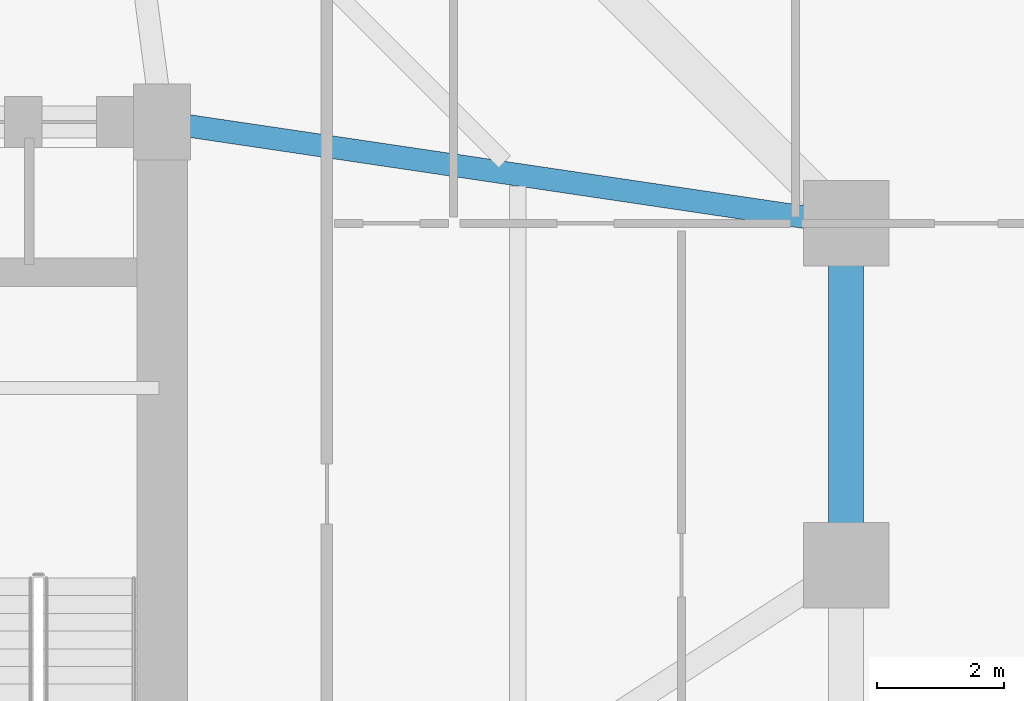
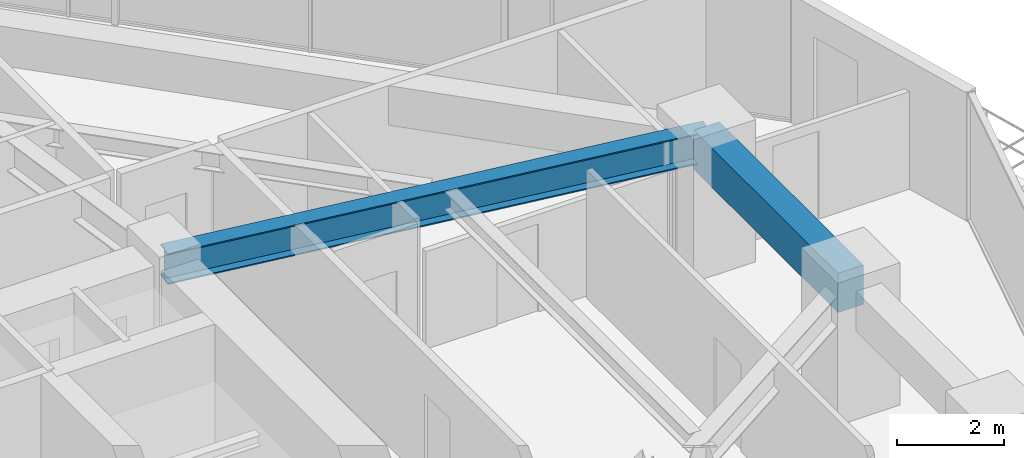
# One storey, part 20 of 39: 2 beams.
"""IFC4 building model written with IfcOpenShell, lengths in metres."""

from ifc_helpers import new_model, si_unit, direction, frame, origin, origin_2d, place, context, subcontext, project, spatial, rectangle, i_section, extrude, material, material_profile, profile_set, type_object, element, save


model = new_model("IFC4")

# Units and contexts
model_context = context("Model", 3, precision=1e-05, world=origin(), true_north=direction((0.0, 1.0)))
body_context = subcontext(model_context, "Body", "Model", "MODEL_VIEW")
ifc_project = project(units=[si_unit("LENGTHUNIT", "METRE"), si_unit("AREAUNIT", "SQUARE_METRE"), si_unit("VOLUMEUNIT", "CUBIC_METRE"), si_unit("PLANEANGLEUNIT", "RADIAN"), si_unit("MASSUNIT", "GRAM", prefix="KILO")], contexts=[model_context])

# Site, building, storey
site_placement = place(None, origin())
site = spatial("IfcSite", under=ifc_project, at=site_placement, CompositionType="ELEMENT")
building_placement = place(site_placement, origin())
building = spatial("IfcBuilding", under=site, at=building_placement, Name="Veraguas Prism Commons", CompositionType="ELEMENT")
storey_placement = place(building_placement, frame((0.0, 0.0, 77.10009765625)))
storey = spatial("IfcBuildingStorey", under=building, at=storey_placement, Name="L21", CompositionType="ELEMENT", Elevation=77.10009765625)

# Beams
ifc_material_1 = material(Name="Concrete C50/60", Category="concrete")
ifc_material_profile_1 = material_profile(ifc_material_1, rectangle(XDim=0.550048828125, YDim=0.89990234375, at=origin_2d()), Name="RC550X900")
ifc_profile_set_1 = profile_set([ifc_material_profile_1], Name="Concrete C50/60")
beam_type_1 = type_object("IfcBeamType", Name="Perimeter Spandrel Lower RC 550x900", PredefinedType="SPANDREL", material=ifc_profile_set_1)
beam_1_placement = place(storey_placement, frame((41.60009765625, 24.0, 2.47998046875), z_axis=(0.0, 1.0, 0.0), x_axis=(-1.0, 0.0, 0.0)))
element("IfcBeam", 1, at=beam_1_placement, inside=storey, type_object=beam_type_1, Name="Perimeter Spandrel Beam L21-SP02", PredefinedType="SPANDREL", context=body_context, shape_type="SweptSolid", body=[
    extrude(rectangle(XDim=0.550048828125, YDim=0.89990234375, at=origin_2d()), origin(), (0.0, 0.0, 1.0), 5.39990234375),
])
ifc_material_2 = material(Name="Steel ASTM A992 Grade 50", Category="steel")
ifc_material_profile_2 = material_profile(ifc_material_2, i_section(OverallWidth=0.35595703125, OverallDepth=0.700927734375, WebThickness=0.016845703125, FlangeThickness=0.02734375, at=origin_2d()), Name="W690X240")
ifc_profile_set_2 = profile_set([ifc_material_profile_2], Name="Steel ASTM A992 Grade 50")
beam_type_2 = type_object("IfcBeamType", Name="Zone 1 Radial Girder W690x240", PredefinedType="BEAM", material=ifc_profile_set_2)
beam_2_placement = place(storey_placement, frame((41.60009765625, 29.39990234375, 2.579345703125), z_axis=(-0.989202261707, 0.146556765224, 0.0), x_axis=(-0.146556765224, -0.989202261707, 0.0)))
element("IfcBeam", 2, at=beam_2_placement, inside=storey, type_object=beam_type_2, Name="Radial Floor Girder L21-RD03", PredefinedType="BEAM", context=body_context, shape_type="SweptSolid", body=[
    extrude(i_section(OverallWidth=0.35595703125, OverallDepth=0.700927734375, WebThickness=0.016845703125, FlangeThickness=0.02734375, at=origin_2d()), origin(), (0.0, 0.0, 1.0), 10.91796875),
])

save(model, "model.ifc")
